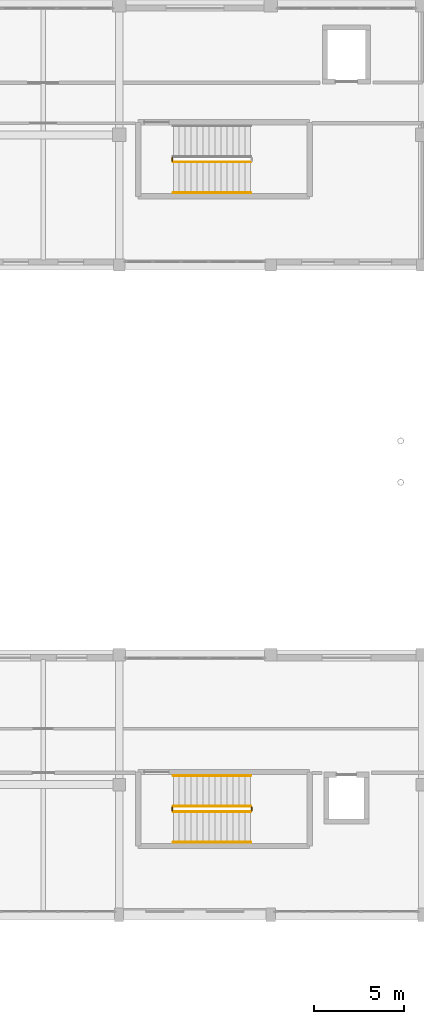
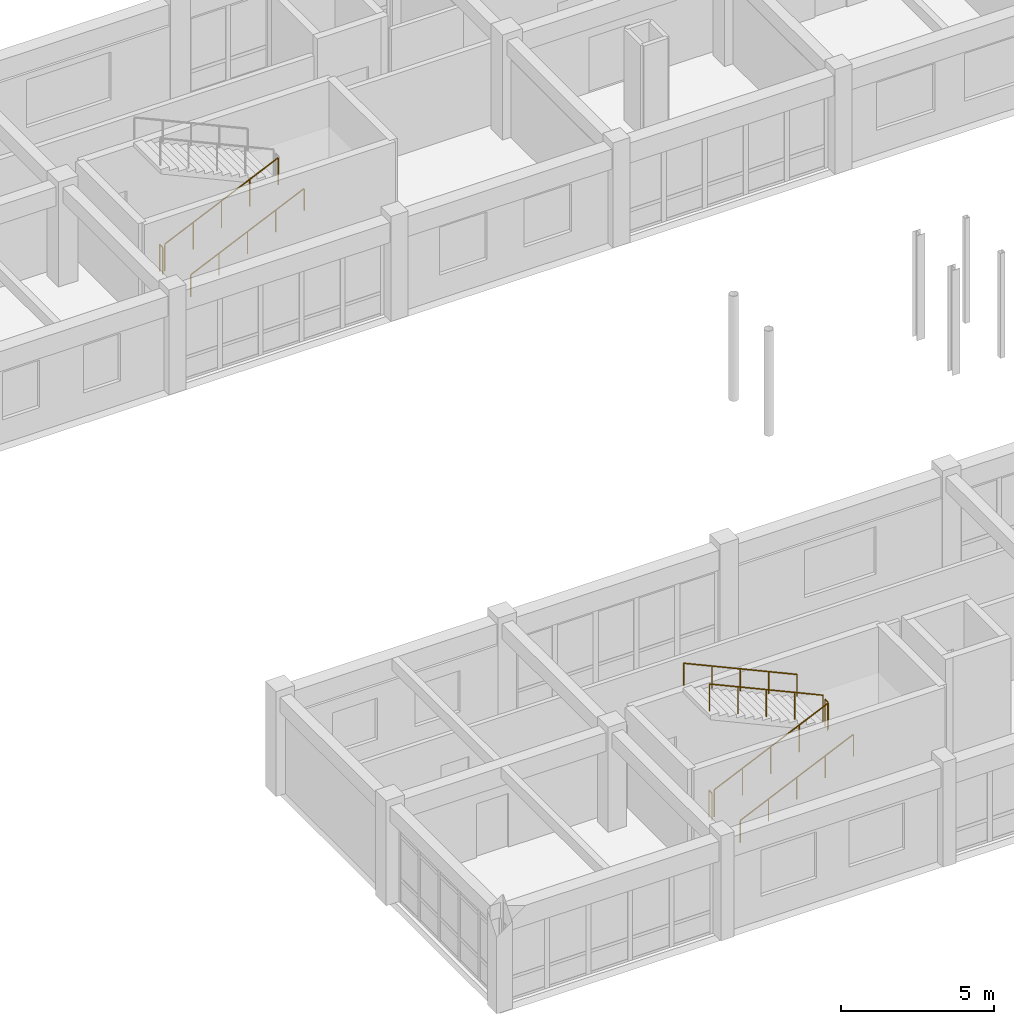
# One storey, part 142 of 147: 9 railings.
"""IFC4 building model written with IfcOpenShell, lengths in metres."""

from ifc_helpers import new_model, si_unit, direction, frame, origin, origin_2d, place, context, subcontext, project, spatial, circle, extrude, material, layer, layer_set, type_object, element, save


model = new_model("IFC4")

# Units and contexts
model_context = context("Model", 3, precision=1e-05, world=origin(), true_north=direction((0.0, 1.0)))
body_context = subcontext(model_context, "Body", "Model", "MODEL_VIEW")
ifc_project = project(units=[si_unit("LENGTHUNIT", "METRE"), si_unit("AREAUNIT", "SQUARE_METRE"), si_unit("VOLUMEUNIT", "CUBIC_METRE"), si_unit("PLANEANGLEUNIT", "RADIAN"), si_unit("MASSUNIT", "GRAM", prefix="KILO")], contexts=[model_context])

# Site, building, storey
site_placement = place(None, origin())
site = spatial("IfcSite", under=ifc_project, at=site_placement, CompositionType="ELEMENT")
building_placement = place(site_placement, origin())
building = spatial("IfcBuilding", under=site, at=building_placement, Name="Malvenik Polytechnic", CompositionType="ELEMENT")
storey_placement = place(building_placement, frame((0.0, 0.0, 5.10009765625)))
storey = spatial("IfcBuildingStorey", under=building, at=storey_placement, Name="L01", CompositionType="ELEMENT", Elevation=5.10009765625)

# Railings
ifc_material_1 = material(Name="Painted galvanised steel stair well balustrade 1100mm", Category="steel")
ifc_layer_1 = layer(ifc_material_1, 0.050048828125)
ifc_layer_set_1 = layer_set([ifc_layer_1], Name="Painted galvanised steel stair well balustrade 1100mm")
railing_type_1 = type_object("IfcRailingType", Name="ARC-RL-STGD", PredefinedType="BALUSTRADE", material=ifc_layer_set_1)
railing_1_placement = place(storey_placement, frame((11.39990234375, 120.89990234375, 0.14990234375)))
element("IfcRailing", 1, at=railing_1_placement, inside=storey, type_object=railing_type_1, Name="L01 ST-01 stair guard 1", PredefinedType="BALUSTRADE", context=body_context, shape_type="SweptSolid", body=[
    extrude(circle(Radius=0.02392578125, at=origin_2d()), frame((0.0, 0.0, 1.076171875), z_axis=(0.910371800137, 0.0, 0.413791234219), x_axis=(0.0, 1.0, 0.0)), (0.0, 0.0, 1.0), 4.71240234375),
    extrude(circle(Radius=0.02099609375, at=origin_2d()), origin(), (0.0, 0.0, 1.0), 1.052001953125),
    extrude(circle(Radius=0.02099609375, at=origin_2d()), frame((1.072509765625, 0.0, 0.487548828125)), (0.0, 0.0, 1.0), 1.052001953125),
    extrude(circle(Radius=0.02099609375, at=origin_2d()), frame((2.14501953125, 0.0, 0.97509765625)), (0.0, 0.0, 1.0), 1.052001953125),
    extrude(circle(Radius=0.02099609375, at=origin_2d()), frame((3.217529296875, 0.0, 1.46240234375)), (0.0, 0.0, 1.0), 1.052001953125),
    extrude(circle(Radius=0.02099609375, at=origin_2d()), frame((4.2900390625, 0.0, 1.949951171875)), (0.0, 0.0, 1.0), 1.052001953125),
])
railing_2_placement = place(storey_placement, frame((11.35009765625, 120.949951171875, 0.0)))
element("IfcRailing", 2, at=railing_2_placement, inside=storey, type_object=railing_type_1, Name="L01 ST-01 stair guard 4", PredefinedType="BALUSTRADE", context=body_context, shape_type="SweptSolid", body=[
    extrude(circle(Radius=0.02392578125, at=origin_2d()), frame((0.0, 0.0, 1.076171875), z_axis=(0.0, 1.0, 0.0), x_axis=(-1.0, 0.0, 0.0)), (0.0, 0.0, 1.0), 0.199951171875),
    extrude(circle(Radius=0.02099609375, at=origin_2d()), origin(), (0.0, 0.0, 1.0), 1.052001953125),
    extrude(circle(Radius=0.02099609375, at=origin_2d()), frame((0.0, 0.199951171875, 0.0)), (0.0, 0.0, 1.0), 1.052001953125),
])
railing_3_placement = place(storey_placement, frame((11.39990234375, 84.89990234375, 0.14990234375)))
element("IfcRailing", 3, at=railing_3_placement, inside=storey, type_object=railing_type_1, Name="L01 ST-04 stair guard 1", PredefinedType="BALUSTRADE", context=body_context, shape_type="SweptSolid", body=[
    extrude(circle(Radius=0.02392578125, at=origin_2d()), frame((0.0, 0.0, 1.076171875), z_axis=(0.910371800137, 0.0, 0.413791234219), x_axis=(0.0, 1.0, 0.0)), (0.0, 0.0, 1.0), 4.71240234375),
    extrude(circle(Radius=0.02099609375, at=origin_2d()), origin(), (0.0, 0.0, 1.0), 1.052001953125),
    extrude(circle(Radius=0.02099609375, at=origin_2d()), frame((1.072509765625, 0.0, 0.487548828125)), (0.0, 0.0, 1.0), 1.052001953125),
    extrude(circle(Radius=0.02099609375, at=origin_2d()), frame((2.14501953125, 0.0, 0.97509765625)), (0.0, 0.0, 1.0), 1.052001953125),
    extrude(circle(Radius=0.02099609375, at=origin_2d()), frame((3.217529296875, 0.0, 1.46240234375)), (0.0, 0.0, 1.0), 1.052001953125),
    extrude(circle(Radius=0.02099609375, at=origin_2d()), frame((4.2900390625, 0.0, 1.949951171875)), (0.0, 0.0, 1.0), 1.052001953125),
])
railing_4_placement = place(storey_placement, frame((15.739990234375, 84.949951171875, 2.099853515625)))
element("IfcRailing", 4, at=railing_4_placement, inside=storey, type_object=railing_type_1, Name="L01 ST-04 stair guard 2", PredefinedType="BALUSTRADE", context=body_context, shape_type="SweptSolid", body=[
    extrude(circle(Radius=0.02392578125, at=origin_2d()), frame((0.0, 0.0, 1.076171875), z_axis=(0.0, 1.0, 0.0), x_axis=(-1.0, 0.0, 0.0)), (0.0, 0.0, 1.0), 0.199951171875),
    extrude(circle(Radius=0.02099609375, at=origin_2d()), origin(), (0.0, 0.0, 1.0), 1.052001953125),
    extrude(circle(Radius=0.02099609375, at=origin_2d()), frame((0.0, 0.199951171875, 0.0)), (0.0, 0.0, 1.0), 1.052001953125),
])
railing_5_placement = place(storey_placement, frame((15.68994140625, 85.199951171875, 2.25)))
element("IfcRailing", 5, at=railing_5_placement, inside=storey, type_object=railing_type_1, Name="L01 ST-04 stair guard 3", PredefinedType="BALUSTRADE", context=body_context, shape_type="SweptSolid", body=[
    extrude(circle(Radius=0.02392578125, at=origin_2d()), frame((0.0, 0.0, 1.076171875), z_axis=(-0.910371800137, 0.0, 0.413791234219), x_axis=(0.0, -1.0, 0.0)), (0.0, 0.0, 1.0), 4.71240234375),
    extrude(circle(Radius=0.02099609375, at=origin_2d()), origin(), (0.0, 0.0, 1.0), 1.052001953125),
    extrude(circle(Radius=0.02099609375, at=origin_2d()), frame((-1.072509765625, 0.0, 0.487548828125)), (0.0, 0.0, 1.0), 1.052001953125),
    extrude(circle(Radius=0.02099609375, at=origin_2d()), frame((-2.14501953125, 0.0, 0.97509765625)), (0.0, 0.0, 1.0), 1.052001953125),
    extrude(circle(Radius=0.02099609375, at=origin_2d()), frame((-3.217529296875, 0.0, 1.46240234375)), (0.0, 0.0, 1.0), 1.052001953125),
    extrude(circle(Radius=0.02099609375, at=origin_2d()), frame((-4.2900390625, 0.0, 1.949951171875)), (0.0, 0.0, 1.0), 1.052001953125),
])
railing_6_placement = place(storey_placement, frame((11.35009765625, 84.949951171875, 0.0)))
element("IfcRailing", 6, at=railing_6_placement, inside=storey, type_object=railing_type_1, Name="L01 ST-04 stair guard 4", PredefinedType="BALUSTRADE", context=body_context, shape_type="SweptSolid", body=[
    extrude(circle(Radius=0.02392578125, at=origin_2d()), frame((0.0, 0.0, 1.076171875), z_axis=(0.0, 1.0, 0.0), x_axis=(-1.0, 0.0, 0.0)), (0.0, 0.0, 1.0), 0.199951171875),
    extrude(circle(Radius=0.02099609375, at=origin_2d()), origin(), (0.0, 0.0, 1.0), 1.052001953125),
    extrude(circle(Radius=0.02099609375, at=origin_2d()), frame((0.0, 0.199951171875, 0.0)), (0.0, 0.0, 1.0), 1.052001953125),
])
ifc_material_2 = material(Name="Brushed stainless steel 1.4301 stair wall handrail", Category="steel")
ifc_layer_2 = layer(ifc_material_2, 0.044921875)
ifc_layer_set_2 = layer_set([ifc_layer_2], Name="Brushed stainless steel 1.4301 stair wall handrail")
railing_type_2 = type_object("IfcRailingType", Name="ARC-RL-STHR", PredefinedType="HANDRAIL", material=ifc_layer_set_2)
for number, where, name in (
    (7, (11.39990234375, 119.199951171875, 0.14990234375), "L01 ST-01 stair handrail 1"),
    (8, (11.39990234375, 83.199951171875, 0.14990234375), "L01 ST-04 stair handrail 1"),
):
    element("IfcRailing", number, at=place(storey_placement, frame(where)), inside=storey, type_object=railing_type_2, Name=name, PredefinedType="HANDRAIL", context=body_context, shape_type="SweptSolid", body=[
        extrude(circle(Radius=0.02392578125, at=origin_2d()), frame((0.0, 0.0, 0.8759765625), z_axis=(0.910371800137, 0.0, 0.413791234219), x_axis=(0.0, 1.0, 0.0)), (0.0, 0.0, 1.0), 4.71240234375),
        extrude(circle(Radius=0.02099609375, at=origin_2d()), origin(), (0.0, 0.0, 1.0), 0.851806640625),
        extrude(circle(Radius=0.02099609375, at=origin_2d()), frame((1.072509765625, 0.0, 0.487548828125)), (0.0, 0.0, 1.0), 0.851806640625),
        extrude(circle(Radius=0.02099609375, at=origin_2d()), frame((2.14501953125, 0.0, 0.97509765625)), (0.0, 0.0, 1.0), 0.851806640625),
        extrude(circle(Radius=0.02099609375, at=origin_2d()), frame((3.217529296875, 0.0, 1.46240234375)), (0.0, 0.0, 1.0), 0.851806640625),
        extrude(circle(Radius=0.02099609375, at=origin_2d()), frame((4.2900390625, 0.0, 1.949951171875)), (0.0, 0.0, 1.0), 0.851806640625),
    ])
railing_7_placement = place(storey_placement, frame((15.68994140625, 86.89990234375, 2.25)))
element("IfcRailing", 9, at=railing_7_placement, inside=storey, type_object=railing_type_2, Name="L01 ST-04 stair handrail 2", PredefinedType="HANDRAIL", context=body_context, shape_type="SweptSolid", body=[
    extrude(circle(Radius=0.02392578125, at=origin_2d()), frame((0.0, 0.0, 0.8759765625), z_axis=(-0.910371800137, 0.0, 0.413791234219), x_axis=(0.0, -1.0, 0.0)), (0.0, 0.0, 1.0), 4.71240234375),
    extrude(circle(Radius=0.02099609375, at=origin_2d()), origin(), (0.0, 0.0, 1.0), 0.851806640625),
    extrude(circle(Radius=0.02099609375, at=origin_2d()), frame((-1.072509765625, 0.0, 0.487548828125)), (0.0, 0.0, 1.0), 0.851806640625),
    extrude(circle(Radius=0.02099609375, at=origin_2d()), frame((-2.14501953125, 0.0, 0.97509765625)), (0.0, 0.0, 1.0), 0.851806640625),
    extrude(circle(Radius=0.02099609375, at=origin_2d()), frame((-3.217529296875, 0.0, 1.46240234375)), (0.0, 0.0, 1.0), 0.851806640625),
    extrude(circle(Radius=0.02099609375, at=origin_2d()), frame((-4.2900390625, 0.0, 1.949951171875)), (0.0, 0.0, 1.0), 0.851806640625),
])

save(model, "model.ifc")
